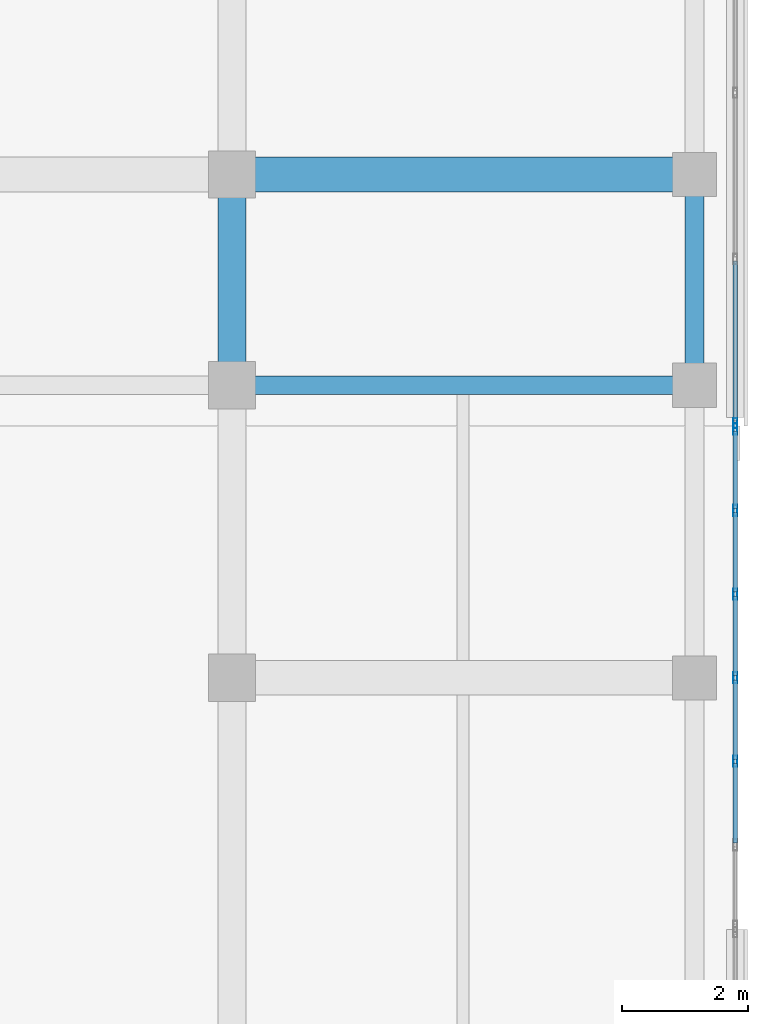
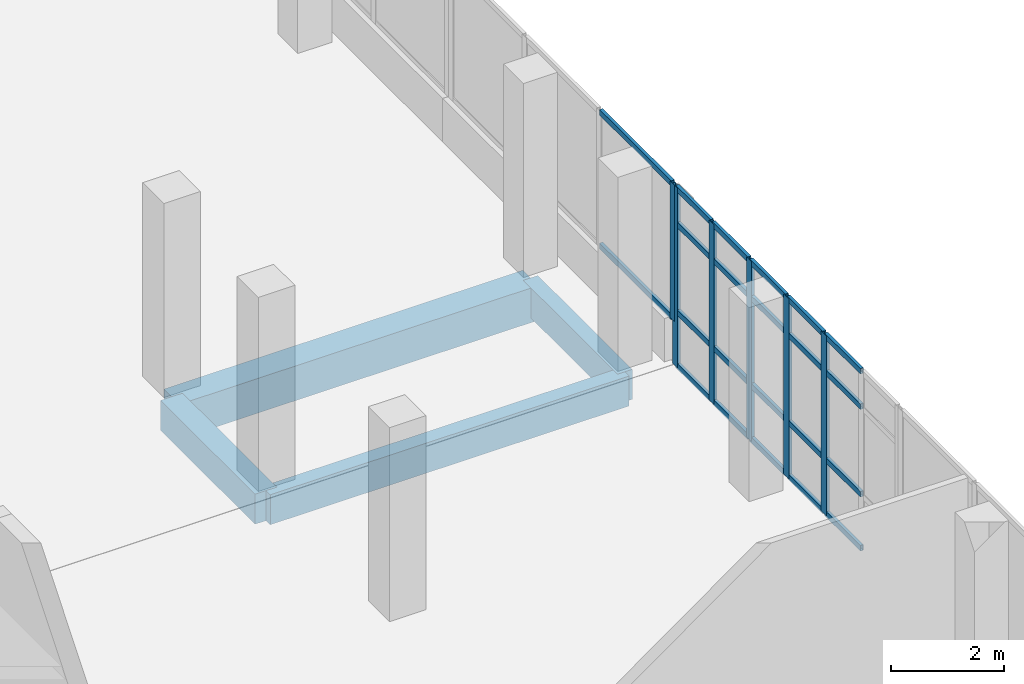
# One storey, part 132 of 184: 28 members, 4 beams, 2 elements without a shape of their own.
"""IFC4 building model written with IfcOpenShell, lengths in metres."""

from ifc_helpers import new_model, si_unit, direction, frame, origin, origin_2d, place, context, subcontext, project, spatial, rectangle, hollow_rectangle, extrude, material, material_profile, profile_set, type_object, element, aggregate, save


model = new_model("IFC4")

# Units and contexts
model_context = context("Model", 3, precision=1e-05, world=origin(), true_north=direction((0.0, 1.0)))
body_context = subcontext(model_context, "Body", "Model", "MODEL_VIEW")
ifc_project = project(units=[si_unit("LENGTHUNIT", "METRE"), si_unit("AREAUNIT", "SQUARE_METRE"), si_unit("VOLUMEUNIT", "CUBIC_METRE"), si_unit("PLANEANGLEUNIT", "RADIAN"), si_unit("MASSUNIT", "GRAM", prefix="KILO")], contexts=[model_context])

# Site, building, storey
site_placement = place(None, origin())
site = spatial("IfcSite", under=ifc_project, at=site_placement, CompositionType="ELEMENT")
building_placement = place(site_placement, origin())
building = spatial("IfcBuilding", under=site, at=building_placement, Name="Selatvlak General Hospital", CompositionType="ELEMENT")
storey_placement = place(building_placement, frame((0.0, 0.0, 15.0)))
storey = spatial("IfcBuildingStorey", under=building, at=storey_placement, Name="L03", CompositionType="ELEMENT", Elevation=15.0)

# Beams
ifc_material_1 = material(Name="Concrete C40/50", Category="concrete")
ifc_material_profile_1 = material_profile(ifc_material_1, rectangle(XDim=0.550048828125, YDim=0.75, at=origin_2d()), Name="RC-BM 550x750")
ifc_profile_set_1 = profile_set([ifc_material_profile_1], Name="Concrete C40/50")
beam_type_1 = type_object("IfcBeamType", Name="BM-G02", PredefinedType="BEAM", material=ifc_profile_set_1)
beam_1_placement = place(storey_placement, frame((174.0, 92.0, -0.715087890625), z_axis=(1.0, 0.0, 0.0), x_axis=(0.0, 1.0, 0.0)))
element("IfcBeam", 1, at=beam_1_placement, inside=storey, type_object=beam_type_1, Name="Beam BMR-L03-1222", PredefinedType="BEAM", context=body_context, shape_type="SweptSolid", body=[
    extrude(rectangle(XDim=0.550048828125, YDim=0.75, at=origin_2d()), origin(), (0.0, 0.0, 1.0), 7.35009765625),
])
ifc_material_profile_2 = material_profile(ifc_material_1, rectangle(XDim=0.449951171875, YDim=0.64990234375, at=origin_2d()), Name="RC-BM 450x650")
ifc_profile_set_2 = profile_set([ifc_material_profile_2], Name="Concrete C40/50")
beam_type_2 = type_object("IfcBeamType", Name="BM-G04", PredefinedType="BEAM", material=ifc_profile_set_2)
beam_2_placement = place(storey_placement, frame((174.0, 88.64990234375, -0.6650390625), z_axis=(0.0, 1.0, 0.0), x_axis=(-1.0, 0.0, 0.0)))
element("IfcBeam", 2, at=beam_2_placement, inside=storey, type_object=beam_type_2, Name="Beam BMR-L03-1414", PredefinedType="BEAM", context=body_context, shape_type="SweptSolid", body=[
    extrude(rectangle(XDim=0.449951171875, YDim=0.64990234375, at=origin_2d()), origin(), (0.0, 0.0, 1.0), 3.35009765625),
])
ifc_material_profile_3 = material_profile(ifc_material_1, rectangle(XDim=0.300048828125, YDim=0.64990234375, at=origin_2d()), Name="RC-SP 300x650")
ifc_profile_set_3 = profile_set([ifc_material_profile_3], Name="Concrete C40/50")
beam_type_3 = type_object("IfcBeamType", Name="BM-SP1", PredefinedType="SPANDREL", material=ifc_profile_set_3)
beam_3_placement = place(storey_placement, frame((174.0, 88.64990234375, -0.6650390625), z_axis=(1.0, 0.0, 0.0), x_axis=(0.0, 1.0, 0.0)))
element("IfcBeam", 3, at=beam_3_placement, inside=storey, type_object=beam_type_3, Name="Beam BMR-L03-1201", PredefinedType="SPANDREL", context=body_context, shape_type="SweptSolid", body=[
    extrude(rectangle(XDim=0.300048828125, YDim=0.64990234375, at=origin_2d()), origin(), (0.0, 0.0, 1.0), 7.35009765625),
])
beam_4_placement = place(storey_placement, frame((181.35009765625, 88.64990234375, -0.6650390625), z_axis=(0.0, 1.0, 0.0), x_axis=(-1.0, 0.0, 0.0)))
element("IfcBeam", 4, at=beam_4_placement, inside=storey, type_object=beam_type_3, Name="Beam BMR-L03-1424", PredefinedType="SPANDREL", context=body_context, shape_type="SweptSolid", body=[
    extrude(rectangle(XDim=0.300048828125, YDim=0.64990234375, at=origin_2d()), origin(), (0.0, 0.0, 1.0), 3.35009765625),
])

# Curtain wall, member
ifc_material_2 = material(Name="Solar-control Low-E double glazing", Category="glass")
curtain_wall_type_1 = type_object("IfcCurtainWallType", Name="CW-CW-02", PredefinedType="USERDEFINED", material=ifc_material_2)
curtain_wall_1_placement = place(storey_placement, origin())
curtain_wall_1 = element("IfcCurtainWall", 5, at=curtain_wall_1_placement, inside=storey, type_object=curtain_wall_type_1, Name="Glazed facade curtain wall CW-L03-0387", ObjectType="UNITISED CURTAIN WALL", PredefinedType="USERDEFINED")
ifc_material_3 = material(Name="Dark anodised aluminium mullion", Category="aluminium")
ifc_material_profile_4 = material_profile(ifc_material_3, hollow_rectangle(XDim=0.06494140625, YDim=0.159912109375, WallThickness=0.00390625, at=origin_2d()), Name="AL-MUL 65x160x4")
ifc_profile_set_4 = profile_set([ifc_material_profile_4], Name="Dark anodised aluminium mullion")
member_type_1 = type_object("IfcMemberType", Name="CWM-01", PredefinedType="MULLION", material=ifc_profile_set_4)
member_1_placement = place(storey_placement, frame((182.0, 88.048583984375, 0.93994140625), z_axis=(0.0, 0.0, 1.0), x_axis=(1.0, 0.0, 0.0)))
member_1 = element("IfcMember", 6, at=member_1_placement, type_object=member_type_1, Name="CW-02 mullion 4", PredefinedType="MULLION", context=body_context, shape_type="SweptSolid", body=[
    extrude(hollow_rectangle(XDim=0.06494140625, YDim=0.159912109375, WallThickness=0.00390625, at=origin_2d()), origin(), (0.0, 0.0, 1.0), 2.955078125),
])

# Curtain wall, members
curtain_wall_type_2 = type_object("IfcCurtainWallType", Name="CW-CW-04", PredefinedType="USERDEFINED", material=ifc_material_2)
curtain_wall_2_placement = place(storey_placement, origin())
curtain_wall_2 = element("IfcCurtainWall", 7, at=curtain_wall_2_placement, inside=storey, type_object=curtain_wall_type_2, Name="Glazed facade curtain wall CW-L03-0388", ObjectType="STICK GLAZING WALL", PredefinedType="USERDEFINED")
ifc_material_profile_5 = material_profile(ifc_material_3, hollow_rectangle(XDim=0.06494140625, YDim=0.179931640625, WallThickness=0.00439453125, at=origin_2d()), Name="AL-MUL 65x180x4.5")
ifc_profile_set_5 = profile_set([ifc_material_profile_5], Name="Dark anodised aluminium mullion")
member_type_2 = type_object("IfcMemberType", Name="CWM-02", PredefinedType="MULLION", material=ifc_profile_set_5)
member_2_placement = place(storey_placement, frame((182.0, 87.95361328125, 0.0), z_axis=(0.0, 0.0, 1.0), x_axis=(1.0, 0.0, 0.0)))
member_2 = element("IfcMember", 8, at=member_2_placement, type_object=member_type_2, Name="CW-04 mullion 1", PredefinedType="MULLION", context=body_context, shape_type="SweptSolid", body=[
    extrude(hollow_rectangle(XDim=0.06494140625, YDim=0.179931640625, WallThickness=0.00439453125, at=origin_2d()), origin(), (0.0, 0.0, 1.0), 3.89501953125),
])
member_3_placement = place(storey_placement, frame((182.0, 86.65771484375, 0.0), z_axis=(0.0, 0.0, 1.0), x_axis=(1.0, 0.0, 0.0)))
member_3 = element("IfcMember", 9, at=member_3_placement, type_object=member_type_2, Name="CW-04 mullion 2", PredefinedType="MULLION", context=body_context, shape_type="SweptSolid", body=[
    extrude(hollow_rectangle(XDim=0.06494140625, YDim=0.179931640625, WallThickness=0.00439453125, at=origin_2d()), origin(), (0.0, 0.0, 1.0), 3.89501953125),
])
member_4_placement = place(storey_placement, frame((182.0, 85.329345703125, 0.0), z_axis=(0.0, 0.0, 1.0), x_axis=(1.0, 0.0, 0.0)))
member_4 = element("IfcMember", 10, at=member_4_placement, type_object=member_type_2, Name="CW-04 mullion 3", PredefinedType="MULLION", context=body_context, shape_type="SweptSolid", body=[
    extrude(hollow_rectangle(XDim=0.06494140625, YDim=0.179931640625, WallThickness=0.00439453125, at=origin_2d()), origin(), (0.0, 0.0, 1.0), 3.89501953125),
])
member_5_placement = place(storey_placement, frame((182.0, 84.0009765625, 0.0), z_axis=(0.0, 0.0, 1.0), x_axis=(1.0, 0.0, 0.0)))
member_5 = element("IfcMember", 11, at=member_5_placement, type_object=member_type_2, Name="CW-04 mullion 4", PredefinedType="MULLION", context=body_context, shape_type="SweptSolid", body=[
    extrude(hollow_rectangle(XDim=0.06494140625, YDim=0.179931640625, WallThickness=0.00439453125, at=origin_2d()), origin(), (0.0, 0.0, 1.0), 3.89501953125),
])
member_6_placement = place(storey_placement, frame((182.0, 82.672607421875, 0.0), z_axis=(0.0, 0.0, 1.0), x_axis=(1.0, 0.0, 0.0)))
member_6 = element("IfcMember", 12, at=member_6_placement, type_object=member_type_2, Name="CW-04 mullion 5", PredefinedType="MULLION", context=body_context, shape_type="SweptSolid", body=[
    extrude(hollow_rectangle(XDim=0.06494140625, YDim=0.179931640625, WallThickness=0.00439453125, at=origin_2d()), origin(), (0.0, 0.0, 1.0), 3.89501953125),
])

# Member
ifc_material_profile_6 = material_profile(ifc_material_3, hollow_rectangle(XDim=0.06494140625, YDim=0.1201171875, WallThickness=0.00390625, at=origin_2d()), Name="AL-TRN 65x120x4")
ifc_profile_set_6 = profile_set([ifc_material_profile_6], Name="Dark anodised aluminium mullion")
member_type_3 = type_object("IfcMemberType", Name="CWT-01", PredefinedType="USERDEFINED", material=ifc_profile_set_6)
member_7_placement = place(storey_placement, frame((182.0, 90.62353515625, 0.972412109375), z_axis=(0.0, -1.0, 0.0), x_axis=(1.0, 0.0, 0.0)))
member_7 = element("IfcMember", 13, at=member_7_placement, type_object=member_type_3, Name="CW-02 transom 3.1", ObjectType="TRANSOM", PredefinedType="USERDEFINED", context=body_context, shape_type="SweptSolid", body=[
    extrude(hollow_rectangle(XDim=0.06494140625, YDim=0.1201171875, WallThickness=0.00390625, at=origin_2d()), origin(), (0.0, 0.0, 1.0), 2.54248046875),
])

member_8_placement = place(storey_placement, frame((182.0, 90.62353515625, 3.862548828125), z_axis=(0.0, -1.0, 0.0), x_axis=(1.0, 0.0, 0.0)))
member_8 = element("IfcMember", 14, at=member_8_placement, type_object=member_type_3, Name="CW-02 transom 3.2", ObjectType="TRANSOM", PredefinedType="USERDEFINED", context=body_context, shape_type="SweptSolid", body=[
    extrude(hollow_rectangle(XDim=0.06494140625, YDim=0.1201171875, WallThickness=0.00390625, at=origin_2d()), origin(), (0.0, 0.0, 1.0), 2.54248046875),
])

aggregate(curtain_wall_1, [member_1, member_7, member_8])

member_9_placement = place(storey_placement, frame((182.0, 87.9208984375, 0.032470703125), z_axis=(0.0, -1.0, 0.0), x_axis=(1.0, 0.0, 0.0)))
member_9 = element("IfcMember", 15, at=member_9_placement, type_object=member_type_3, Name="CW-04 transom 1.1", ObjectType="TRANSOM", PredefinedType="USERDEFINED", context=body_context, shape_type="SweptSolid", body=[
    extrude(hollow_rectangle(XDim=0.06494140625, YDim=0.1201171875, WallThickness=0.00390625, at=origin_2d()), origin(), (0.0, 0.0, 1.0), 1.230712890625),
])

member_10_placement = place(storey_placement, frame((182.0, 87.9208984375, 1.199951171875), z_axis=(0.0, -1.0, 0.0), x_axis=(1.0, 0.0, 0.0)))
member_10 = element("IfcMember", 16, at=member_10_placement, type_object=member_type_3, Name="CW-04 transom 1.2", ObjectType="TRANSOM", PredefinedType="USERDEFINED", context=body_context, shape_type="SweptSolid", body=[
    extrude(hollow_rectangle(XDim=0.06494140625, YDim=0.1201171875, WallThickness=0.00390625, at=origin_2d()), origin(), (0.0, 0.0, 1.0), 1.230712890625),
])

member_11_placement = place(storey_placement, frame((182.0, 87.9208984375, 3.094970703125), z_axis=(0.0, -1.0, 0.0), x_axis=(1.0, 0.0, 0.0)))
member_11 = element("IfcMember", 17, at=member_11_placement, type_object=member_type_3, Name="CW-04 transom 1.3", ObjectType="TRANSOM", PredefinedType="USERDEFINED", context=body_context, shape_type="SweptSolid", body=[
    extrude(hollow_rectangle(XDim=0.06494140625, YDim=0.1201171875, WallThickness=0.00390625, at=origin_2d()), origin(), (0.0, 0.0, 1.0), 1.230712890625),
])

member_12_placement = place(storey_placement, frame((182.0, 87.9208984375, 3.862548828125), z_axis=(0.0, -1.0, 0.0), x_axis=(1.0, 0.0, 0.0)))
member_12 = element("IfcMember", 18, at=member_12_placement, type_object=member_type_3, Name="CW-04 transom 1.4", ObjectType="TRANSOM", PredefinedType="USERDEFINED", context=body_context, shape_type="SweptSolid", body=[
    extrude(hollow_rectangle(XDim=0.06494140625, YDim=0.1201171875, WallThickness=0.00390625, at=origin_2d()), origin(), (0.0, 0.0, 1.0), 1.230712890625),
])

member_13_placement = place(storey_placement, frame((182.0, 86.625244140625, 0.032470703125), z_axis=(0.0, -1.0, 0.0), x_axis=(1.0, 0.0, 0.0)))
member_13 = element("IfcMember", 19, at=member_13_placement, type_object=member_type_3, Name="CW-04 transom 2.1", ObjectType="TRANSOM", PredefinedType="USERDEFINED", context=body_context, shape_type="SweptSolid", body=[
    extrude(hollow_rectangle(XDim=0.06494140625, YDim=0.1201171875, WallThickness=0.00390625, at=origin_2d()), origin(), (0.0, 0.0, 1.0), 1.263427734375),
])

member_14_placement = place(storey_placement, frame((182.0, 86.625244140625, 1.199951171875), z_axis=(0.0, -1.0, 0.0), x_axis=(1.0, 0.0, 0.0)))
member_14 = element("IfcMember", 20, at=member_14_placement, type_object=member_type_3, Name="CW-04 transom 2.2", ObjectType="TRANSOM", PredefinedType="USERDEFINED", context=body_context, shape_type="SweptSolid", body=[
    extrude(hollow_rectangle(XDim=0.06494140625, YDim=0.1201171875, WallThickness=0.00390625, at=origin_2d()), origin(), (0.0, 0.0, 1.0), 1.263427734375),
])

member_15_placement = place(storey_placement, frame((182.0, 86.625244140625, 3.094970703125), z_axis=(0.0, -1.0, 0.0), x_axis=(1.0, 0.0, 0.0)))
member_15 = element("IfcMember", 21, at=member_15_placement, type_object=member_type_3, Name="CW-04 transom 2.3", ObjectType="TRANSOM", PredefinedType="USERDEFINED", context=body_context, shape_type="SweptSolid", body=[
    extrude(hollow_rectangle(XDim=0.06494140625, YDim=0.1201171875, WallThickness=0.00390625, at=origin_2d()), origin(), (0.0, 0.0, 1.0), 1.263427734375),
])

member_16_placement = place(storey_placement, frame((182.0, 86.625244140625, 3.862548828125), z_axis=(0.0, -1.0, 0.0), x_axis=(1.0, 0.0, 0.0)))
member_16 = element("IfcMember", 22, at=member_16_placement, type_object=member_type_3, Name="CW-04 transom 2.4", ObjectType="TRANSOM", PredefinedType="USERDEFINED", context=body_context, shape_type="SweptSolid", body=[
    extrude(hollow_rectangle(XDim=0.06494140625, YDim=0.1201171875, WallThickness=0.00390625, at=origin_2d()), origin(), (0.0, 0.0, 1.0), 1.263427734375),
])

member_17_placement = place(storey_placement, frame((182.0, 85.296875, 0.032470703125), z_axis=(0.0, -1.0, 0.0), x_axis=(1.0, 0.0, 0.0)))
member_17 = element("IfcMember", 23, at=member_17_placement, type_object=member_type_3, Name="CW-04 transom 3.1", ObjectType="TRANSOM", PredefinedType="USERDEFINED", context=body_context, shape_type="SweptSolid", body=[
    extrude(hollow_rectangle(XDim=0.06494140625, YDim=0.1201171875, WallThickness=0.00390625, at=origin_2d()), origin(), (0.0, 0.0, 1.0), 1.263427734375),
])

member_18_placement = place(storey_placement, frame((182.0, 85.296875, 1.199951171875), z_axis=(0.0, -1.0, 0.0), x_axis=(1.0, 0.0, 0.0)))
member_18 = element("IfcMember", 24, at=member_18_placement, type_object=member_type_3, Name="CW-04 transom 3.2", ObjectType="TRANSOM", PredefinedType="USERDEFINED", context=body_context, shape_type="SweptSolid", body=[
    extrude(hollow_rectangle(XDim=0.06494140625, YDim=0.1201171875, WallThickness=0.00390625, at=origin_2d()), origin(), (0.0, 0.0, 1.0), 1.263427734375),
])

member_19_placement = place(storey_placement, frame((182.0, 85.296875, 3.094970703125), z_axis=(0.0, -1.0, 0.0), x_axis=(1.0, 0.0, 0.0)))
member_19 = element("IfcMember", 25, at=member_19_placement, type_object=member_type_3, Name="CW-04 transom 3.3", ObjectType="TRANSOM", PredefinedType="USERDEFINED", context=body_context, shape_type="SweptSolid", body=[
    extrude(hollow_rectangle(XDim=0.06494140625, YDim=0.1201171875, WallThickness=0.00390625, at=origin_2d()), origin(), (0.0, 0.0, 1.0), 1.263427734375),
])

member_20_placement = place(storey_placement, frame((182.0, 85.296875, 3.862548828125), z_axis=(0.0, -1.0, 0.0), x_axis=(1.0, 0.0, 0.0)))
member_20 = element("IfcMember", 26, at=member_20_placement, type_object=member_type_3, Name="CW-04 transom 3.4", ObjectType="TRANSOM", PredefinedType="USERDEFINED", context=body_context, shape_type="SweptSolid", body=[
    extrude(hollow_rectangle(XDim=0.06494140625, YDim=0.1201171875, WallThickness=0.00390625, at=origin_2d()), origin(), (0.0, 0.0, 1.0), 1.263427734375),
])

member_21_placement = place(storey_placement, frame((182.0, 83.968505859375, 0.032470703125), z_axis=(0.0, -1.0, 0.0), x_axis=(1.0, 0.0, 0.0)))
member_21 = element("IfcMember", 27, at=member_21_placement, type_object=member_type_3, Name="CW-04 transom 4.1", ObjectType="TRANSOM", PredefinedType="USERDEFINED", context=body_context, shape_type="SweptSolid", body=[
    extrude(hollow_rectangle(XDim=0.06494140625, YDim=0.1201171875, WallThickness=0.00390625, at=origin_2d()), origin(), (0.0, 0.0, 1.0), 1.263427734375),
])

member_22_placement = place(storey_placement, frame((182.0, 83.968505859375, 1.199951171875), z_axis=(0.0, -1.0, 0.0), x_axis=(1.0, 0.0, 0.0)))
member_22 = element("IfcMember", 28, at=member_22_placement, type_object=member_type_3, Name="CW-04 transom 4.2", ObjectType="TRANSOM", PredefinedType="USERDEFINED", context=body_context, shape_type="SweptSolid", body=[
    extrude(hollow_rectangle(XDim=0.06494140625, YDim=0.1201171875, WallThickness=0.00390625, at=origin_2d()), origin(), (0.0, 0.0, 1.0), 1.263427734375),
])

member_23_placement = place(storey_placement, frame((182.0, 83.968505859375, 3.094970703125), z_axis=(0.0, -1.0, 0.0), x_axis=(1.0, 0.0, 0.0)))
member_23 = element("IfcMember", 29, at=member_23_placement, type_object=member_type_3, Name="CW-04 transom 4.3", ObjectType="TRANSOM", PredefinedType="USERDEFINED", context=body_context, shape_type="SweptSolid", body=[
    extrude(hollow_rectangle(XDim=0.06494140625, YDim=0.1201171875, WallThickness=0.00390625, at=origin_2d()), origin(), (0.0, 0.0, 1.0), 1.263427734375),
])

member_24_placement = place(storey_placement, frame((182.0, 83.968505859375, 3.862548828125), z_axis=(0.0, -1.0, 0.0), x_axis=(1.0, 0.0, 0.0)))
member_24 = element("IfcMember", 30, at=member_24_placement, type_object=member_type_3, Name="CW-04 transom 4.4", ObjectType="TRANSOM", PredefinedType="USERDEFINED", context=body_context, shape_type="SweptSolid", body=[
    extrude(hollow_rectangle(XDim=0.06494140625, YDim=0.1201171875, WallThickness=0.00390625, at=origin_2d()), origin(), (0.0, 0.0, 1.0), 1.263427734375),
])

member_25_placement = place(storey_placement, frame((182.0, 82.64013671875, 0.032470703125), z_axis=(0.0, -1.0, 0.0), x_axis=(1.0, 0.0, 0.0)))
member_25 = element("IfcMember", 31, at=member_25_placement, type_object=member_type_3, Name="CW-04 transom 5.1", ObjectType="TRANSOM", PredefinedType="USERDEFINED", context=body_context, shape_type="SweptSolid", body=[
    extrude(hollow_rectangle(XDim=0.06494140625, YDim=0.1201171875, WallThickness=0.00390625, at=origin_2d()), origin(), (0.0, 0.0, 1.0), 1.26318359375),
])

member_26_placement = place(storey_placement, frame((182.0, 82.64013671875, 1.199951171875), z_axis=(0.0, -1.0, 0.0), x_axis=(1.0, 0.0, 0.0)))
member_26 = element("IfcMember", 32, at=member_26_placement, type_object=member_type_3, Name="CW-04 transom 5.2", ObjectType="TRANSOM", PredefinedType="USERDEFINED", context=body_context, shape_type="SweptSolid", body=[
    extrude(hollow_rectangle(XDim=0.06494140625, YDim=0.1201171875, WallThickness=0.00390625, at=origin_2d()), origin(), (0.0, 0.0, 1.0), 1.26318359375),
])

member_27_placement = place(storey_placement, frame((182.0, 82.64013671875, 3.094970703125), z_axis=(0.0, -1.0, 0.0), x_axis=(1.0, 0.0, 0.0)))
member_27 = element("IfcMember", 33, at=member_27_placement, type_object=member_type_3, Name="CW-04 transom 5.3", ObjectType="TRANSOM", PredefinedType="USERDEFINED", context=body_context, shape_type="SweptSolid", body=[
    extrude(hollow_rectangle(XDim=0.06494140625, YDim=0.1201171875, WallThickness=0.00390625, at=origin_2d()), origin(), (0.0, 0.0, 1.0), 1.26318359375),
])

member_28_placement = place(storey_placement, frame((182.0, 82.64013671875, 3.862548828125), z_axis=(0.0, -1.0, 0.0), x_axis=(1.0, 0.0, 0.0)))
member_28 = element("IfcMember", 34, at=member_28_placement, type_object=member_type_3, Name="CW-04 transom 5.4", ObjectType="TRANSOM", PredefinedType="USERDEFINED", context=body_context, shape_type="SweptSolid", body=[
    extrude(hollow_rectangle(XDim=0.06494140625, YDim=0.1201171875, WallThickness=0.00390625, at=origin_2d()), origin(), (0.0, 0.0, 1.0), 1.26318359375),
])

aggregate(curtain_wall_2, [member_2, member_3, member_4, member_5, member_6, member_9, member_10, member_11, member_12, member_13, member_14, member_15, member_16, member_17, member_18, member_19, member_20, member_21, member_22, member_23, member_24, member_25, member_26, member_27, member_28])

save(model, "model.ifc")
